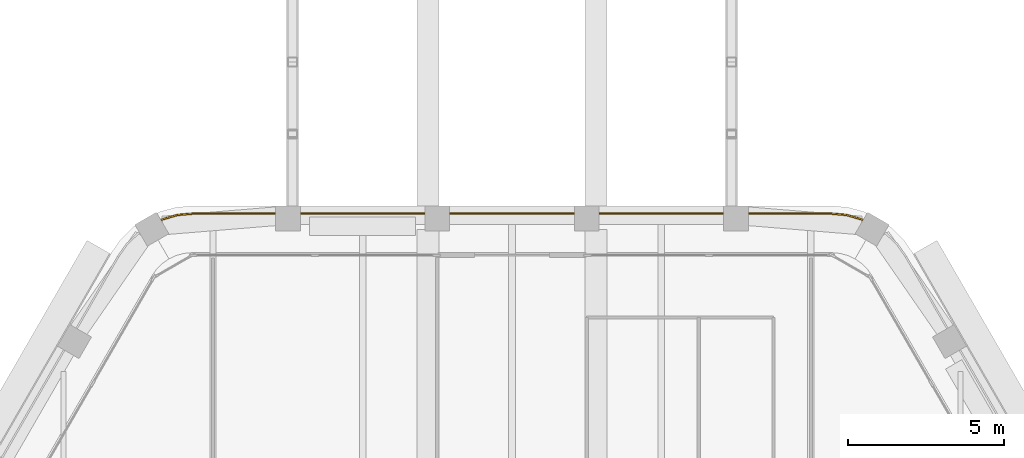
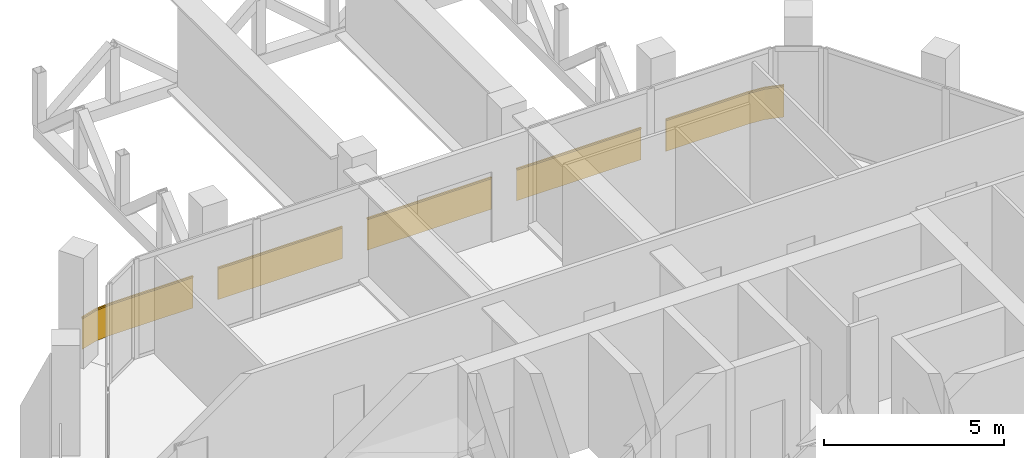
# One storey, part 14 of 14: 1 railing.
"""IFC4 building model written with IfcOpenShell, lengths in metres."""

from ifc_helpers import new_model, si_unit, direction, frame, frame_2d, origin, origin_2d, place, context, subcontext, project, spatial, rectangle, extrude, material, type_object, element, save


model = new_model("IFC4")

# Units and contexts
model_context = context("Model", 3, precision=1e-05, world=origin(), true_north=direction((0.0, 1.0)))
body_context = subcontext(model_context, "Body", "Model", "MODEL_VIEW")
ifc_project = project(units=[si_unit("LENGTHUNIT", "METRE"), si_unit("AREAUNIT", "SQUARE_METRE"), si_unit("VOLUMEUNIT", "CUBIC_METRE"), si_unit("PLANEANGLEUNIT", "RADIAN"), si_unit("MASSUNIT", "GRAM", prefix="KILO")], contexts=[model_context])

# Site, building, storey
site_placement = place(None, origin())
site = spatial("IfcSite", under=ifc_project, at=site_placement, CompositionType="ELEMENT")
building_placement = place(site_placement, origin())
building = spatial("IfcBuilding", under=site, at=building_placement, Name="Kolab Exchange Tower", CompositionType="ELEMENT")
storey_placement = place(building_placement, frame((0.0, 0.0, 265.699951171875)))
storey = spatial("IfcBuildingStorey", under=building, at=storey_placement, Name="L59", CompositionType="ELEMENT", Elevation=265.699951171875)

# Railing
ifc_material = material(Name="Steel S235", Category="steel")
railing_type = type_object("IfcRailingType", Name="GUARD 1100 GLASS BALUSTRADE AND STEEL TOP RAIL", PredefinedType="GUARDRAIL", material=ifc_material)
railing_placement = place(storey_placement, frame((11.280517578125, 20.335205078125, 0.0)))
element("IfcRailing", 1, at=railing_placement, inside=storey, type_object=railing_type, Name="Guard", PredefinedType="GUARDRAIL", context=body_context, shape_type="SweptSolid", body=[
    extrude(rectangle(XDim=0.05, YDim=0.05, at=origin_2d()), frame((0.0, 0.0, 1.0751953125), z_axis=(-0.959212061764, 0.282687496304, 0.0), x_axis=(-0.282687496304, -0.959212061764, 0.0)), (0.0, 0.0, 1.0), 0.557861328125),
    extrude(rectangle(XDim=0.012, YDim=1.05009765625, at=frame_2d((0.0, 0.525146484375))), frame((0.0, 0.0, 0.0), z_axis=(-0.959212061764, 0.282687496304, 0.0), x_axis=(-0.282687496304, -0.959212061764, 0.0)), (0.0, 0.0, 1.0), 0.557861328125),
    extrude(rectangle(XDim=0.05, YDim=0.05, at=origin_2d()), frame((-0.53515625, 0.15771484375, 1.0751953125), z_axis=(-0.996196482496, 0.087135344505, 0.0), x_axis=(-0.087135344505, -0.996196482496, 0.0)), (0.0, 0.0, 1.0), 0.47900390625),
    extrude(rectangle(XDim=0.012, YDim=1.05009765625, at=frame_2d((0.0, 0.525146484375))), frame((-0.53515625, 0.15771484375, 0.0), z_axis=(-0.996196482496, 0.087135344505, 0.0), x_axis=(-0.087135344505, -0.996196482496, 0.0)), (0.0, 0.0, 1.0), 0.47900390625),
    extrude(rectangle(XDim=0.05, YDim=0.05, at=origin_2d()), frame((-1.012451171875, 0.199462890625, 1.0751953125), z_axis=(-1.0, 0.0, 0.0), x_axis=(0.0, -1.0, 0.0)), (0.0, 0.0, 1.0), 2.66796875),
    extrude(rectangle(XDim=0.012, YDim=1.05009765625, at=frame_2d((0.0, 0.525146484375))), frame((-1.012451171875, 0.199462890625, 0.0), z_axis=(-1.0, 0.0, 0.0), x_axis=(0.0, -1.0, 0.0)), (0.0, 0.0, 1.0), 2.66796875),
    extrude(rectangle(XDim=0.05, YDim=0.05, at=origin_2d()), frame((-4.48046875, 0.199462890625, 1.0751953125), z_axis=(-1.0, 0.0, 0.0), x_axis=(0.0, -1.0, 0.0)), (0.0, 0.0, 1.0), 4.0),
    extrude(rectangle(XDim=0.012, YDim=1.05009765625, at=frame_2d((0.0, 0.525146484375))), frame((-4.48046875, 0.199462890625, 0.0), z_axis=(-1.0, 0.0, 0.0), x_axis=(0.0, -1.0, 0.0)), (0.0, 0.0, 1.0), 4.0),
    extrude(rectangle(XDim=0.05, YDim=0.05, at=origin_2d()), frame((-9.280517578125, 0.199462890625, 1.0751953125), z_axis=(-1.0, 0.0, 0.0), x_axis=(0.0, -1.0, 0.0)), (0.0, 0.0, 1.0), 4.0),
    extrude(rectangle(XDim=0.012, YDim=1.05009765625, at=frame_2d((0.0, 0.525146484375))), frame((-9.280517578125, 0.199462890625, 0.0), z_axis=(-1.0, 0.0, 0.0), x_axis=(0.0, -1.0, 0.0)), (0.0, 0.0, 1.0), 4.0),
    extrude(rectangle(XDim=0.05, YDim=0.05, at=origin_2d()), frame((-14.08056640625, 0.199462890625, 1.0751953125), z_axis=(-1.0, 0.0, 0.0), x_axis=(0.0, -1.0, 0.0)), (0.0, 0.0, 1.0), 4.0),
    extrude(rectangle(XDim=0.012, YDim=1.05009765625, at=frame_2d((0.0, 0.525146484375))), frame((-14.08056640625, 0.199462890625, 0.0), z_axis=(-1.0, 0.0, 0.0), x_axis=(0.0, -1.0, 0.0)), (0.0, 0.0, 1.0), 4.0),
    extrude(rectangle(XDim=0.05, YDim=0.05, at=origin_2d()), frame((-18.880615234375, 0.199462890625, 1.0751953125), z_axis=(-1.0, 0.0, 0.0), x_axis=(0.0, -1.0, 0.0)), (0.0, 0.0, 1.0), 2.66796875),
    extrude(rectangle(XDim=0.012, YDim=1.05009765625, at=frame_2d((0.0, 0.525146484375))), frame((-18.880615234375, 0.199462890625, 0.0), z_axis=(-1.0, 0.0, 0.0), x_axis=(0.0, -1.0, 0.0)), (0.0, 0.0, 1.0), 2.66796875),
    extrude(rectangle(XDim=0.05, YDim=0.05, at=origin_2d()), frame((-21.548583984375, 0.199462890625, 1.0751953125), z_axis=(-0.996196482496, -0.087135344505, 0.0), x_axis=(0.087135344505, -0.996196482496, 0.0)), (0.0, 0.0, 1.0), 0.47900390625),
    extrude(rectangle(XDim=0.012, YDim=1.05009765625, at=frame_2d((0.0, 0.525146484375))), frame((-21.548583984375, 0.199462890625, 0.0), z_axis=(-0.996196482496, -0.087135344505, 0.0), x_axis=(0.087135344505, -0.996196482496, 0.0)), (0.0, 0.0, 1.0), 0.47900390625),
    extrude(rectangle(XDim=0.05, YDim=0.05, at=origin_2d()), frame((-22.02587890625, 0.15771484375, 1.0751953125), z_axis=(-0.959212061764, -0.282687496304, 0.0), x_axis=(0.282687496304, -0.959212061764, 0.0)), (0.0, 0.0, 1.0), 0.557861328125),
    extrude(rectangle(XDim=0.012, YDim=1.05009765625, at=frame_2d((0.0, 0.525146484375))), frame((-22.02587890625, 0.15771484375, 0.0), z_axis=(-0.959212061764, -0.282687496304, 0.0), x_axis=(0.282687496304, -0.959212061764, 0.0)), (0.0, 0.0, 1.0), 0.557861328125),
])

save(model, "model.ifc")
